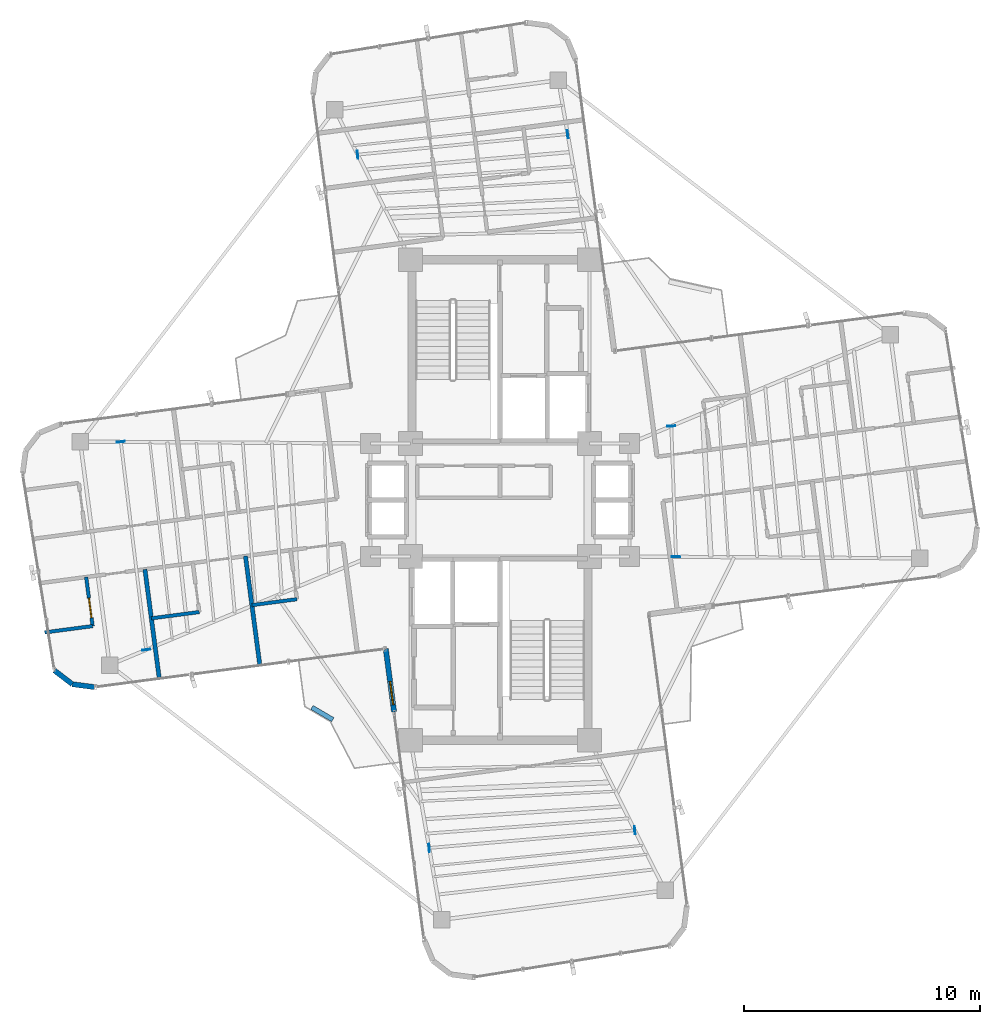
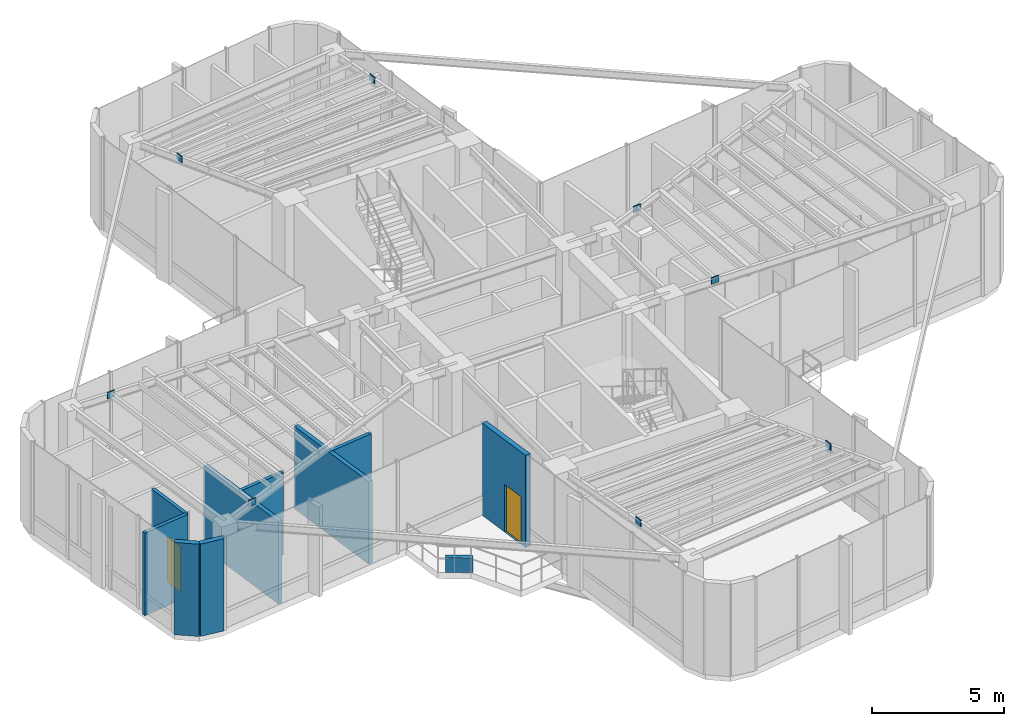
# One storey, part 15 of 20: 10 walls, 8 plates, 2 doors, 2 openings.
"""IFC4 building model written with IfcOpenShell, lengths in metres."""

from ifc_helpers import new_model, si_unit, direction, frame, frame_2d, origin, origin_2d, place, context, subcontext, project, spatial, rectangle, extrude, source, transform, mapped, material, layer, layer_set, type_object, element, fill, save


model = new_model("IFC4")

# Units and contexts
model_context = context("Model", 3, precision=1e-05, world=origin(), true_north=direction((0.0, 1.0)))
body_context = subcontext(model_context, "Body", "Model", "MODEL_VIEW")
ifc_project = project(units=[si_unit("LENGTHUNIT", "METRE"), si_unit("AREAUNIT", "SQUARE_METRE"), si_unit("VOLUMEUNIT", "CUBIC_METRE"), si_unit("PLANEANGLEUNIT", "RADIAN"), si_unit("MASSUNIT", "GRAM", prefix="KILO")], contexts=[model_context])

# Site, building, storey
site_placement = place(None, origin())
site = spatial("IfcSite", under=ifc_project, at=site_placement, CompositionType="ELEMENT")
building_placement = place(site_placement, origin())
building = spatial("IfcBuilding", under=site, at=building_placement, Name="Sahyath Konkavel Grand Hotel", CompositionType="ELEMENT")
storey_placement = place(building_placement, frame((0.0, 0.0, 229.949951171875)))
storey = spatial("IfcBuildingStorey", under=building, at=storey_placement, Name="L64", CompositionType="ELEMENT", Elevation=229.949951171875)

# Plates
ifc_material_1 = material(Name="Steel E450", Category="steel")
plate_type = type_object("IfcPlateType", Name="GUSSET-END-35", PredefinedType="USERDEFINED", material=ifc_material_1)
shared_shape_1 = source(origin(), body_context, "Body", "SweptSolid", [
    extrude(rectangle(XDim=0.0400390625, YDim=0.340087890625, at=origin_2d()), origin(), (0.0, 0.0, 1.0), 0.300048828125),
])
for number, where, z_axis, x_axis, name in (
    (1, (7.4716796875, -2.412353515625, 4.0), (0.0, 0.0, 1.0), (-0.035980921006, 0.999352477019, 0.0), "L64 Sub-Beam E-1 End Cap A"),
    (2, (7.27197265625, 3.136962890625, 4.0), (0.0, 0.0, 1.0), (-0.035980921006, 0.999352477019, 0.0), "L64 Sub-Beam E-1 End Cap B"),
    (3, (-16.09765625, 2.466796875, 4.0), (0.0, 0.0, 1.0), (0.120743257332, -0.992683769288, 0.0), "L64 Sub-Beam W-6 End Cap A"),
    (4, (-15.02392578125, -6.361328125, 4.0), (0.0, 0.0, 1.0), (0.120743257332, -0.992683769288, 0.0), "L64 Sub-Beam W-6 End Cap B"),
    (5, (2.87451171875, 15.535888671875, 4.0), (0.0, 0.0, 1.0), (-0.995232508046, -0.097530789641, 0.0), "L64 Sub-Beam N-5 End Cap A"),
    (6, (-6.04443359375, 14.662109375, 4.0), (0.0, 0.0, 1.0), (-0.995232508046, -0.097530789641, 0.0), "L64 Sub-Beam N-5 End Cap B"),
    (7, (-3.006591796875, -14.773681640625, 4.0), (0.0, 0.0, 1.0), (0.996339330537, 0.085486480953, 0.0), "L64 Sub-Beam S-4 End Cap A"),
    (8, (5.723876953125, -14.024658203125, 4.0), (0.0, 0.0, 1.0), (0.996339330537, 0.085486480953, 0.0), "L64 Sub-Beam S-4 End Cap B"),
):
    element("IfcPlate", number, at=place(storey_placement, frame(where, z_axis=z_axis, x_axis=x_axis)), inside=storey, type_object=plate_type, Name=name, ObjectType="GUSSET_PLATE", PredefinedType="USERDEFINED", context=body_context, shape_type="MappedRepresentation", body=[
        mapped(shared_shape_1, transform((0.0, 0.0, 0.0), scale=1.0)),
    ])

# Walls
ifc_material_2 = material(Name="Warm Buff Sandstone Insulated Concrete C40/50", Category="masonry")
ifc_layer_1 = layer(ifc_material_2, 0.219970703125)
ifc_layer_set_1 = layer_set([ifc_layer_1], Name="Warm Buff Sandstone Insulated Concrete C40/50")
wall_type_1 = type_object("IfcWallType", Name="WLL-BALC-THRESH", PredefinedType="STANDARD", material=ifc_layer_set_1)
wall_1_placement = place(storey_placement, frame((-18.916015625, -7.239013671875, 0.0), z_axis=(0.0, 0.0, 1.0), x_axis=(0.793249178392, -0.608897151398, 0.0)))
element("IfcWall", 9, at=wall_1_placement, inside=storey, type_object=wall_type_1, Name="L64 Rounded Corner Sandstone Pier 21", PredefinedType="STANDARD", context=body_context, shape_type="SweptSolid", body=[
    extrude(rectangle(XDim=0.95751953125, YDim=0.219970703125, at=frame_2d((0.478759765625, 0.0))), origin(), (0.0, 0.0, 1.0), 4.260009765625),
])
wall_2_placement = place(storey_placement, frame((-18.156494140625, -7.822021484375, 0.0), z_axis=(0.0, 0.0, 1.0), x_axis=(0.991449089759, -0.130494070426, 0.0)))
element("IfcWall", 10, at=wall_2_placement, inside=storey, type_object=wall_type_1, Name="L64 Rounded Corner Sandstone Pier 22", PredefinedType="STANDARD", context=body_context, shape_type="SweptSolid", body=[
    extrude(rectangle(XDim=0.9580078125, YDim=0.219970703125, at=frame_2d((0.47900390625, 0.0))), origin(), (0.0, 0.0, 1.0), 4.260009765625),
])

# Wall, opening, door
wall_3_placement = place(storey_placement, frame((-4.849609375, -6.320068359375, 0.0), z_axis=(0.0, 0.0, 1.0), x_axis=(0.130475563272, -0.991451525486, 0.0)))
wall_3 = element("IfcWall", 11, at=wall_3_placement, inside=storey, type_object=wall_type_1, Name="L64 Winter-Garden Threshold Wall 24", PredefinedType="STANDARD", context=body_context, shape_type="SweptSolid", body=[
    extrude(rectangle(XDim=2.7001953125, YDim=0.219970703125, at=frame_2d((1.35009765625, 0.0))), origin(), (0.0, 0.0, 1.0), 4.260009765625),
])
opening_1_placement = place(wall_3_placement, frame((1.39990234375, 0.0, 0.0)))
opening_1 = element("IfcOpeningElement", 12, at=opening_1_placement, cuts=wall_3, Name="Opening D-TR1", PredefinedType="OPENING", context=body_context, shape_type="SweptSolid", body=[
    extrude(rectangle(XDim=1.0, YDim=2.199951171875, at=frame_2d((0.5, 1.10009765625))), frame((0.0, 0.1201171875, 0.0), z_axis=(0.0, -1.0, 0.0), x_axis=(1.0, 0.0, 0.0)), (0.0, 0.0, 1.0), 0.239990234375),
])
ifc_material_3 = material(Name="Anodised Bronze Aluminium & Low-E Glazing", Category="aluminium")
door_type_1 = type_object("IfcDoorType", Name="DR-TERRACE-1000", OperationType="NOTDEFINED", PredefinedType="DOOR", material=ifc_material_3)
shared_shape_2 = source(origin(), body_context, "Body", "SweptSolid", [
    extrude(rectangle(XDim=1.0, YDim=0.050048828125, at=origin_2d()), origin(), (0.0, 0.0, 1.0), 2.199951171875),
])
door_1_placement = place(opening_1_placement, frame((0.5, 0.0, 0.0)))
door_1 = element("IfcDoor", 13, at=door_1_placement, inside=storey, type_object=door_type_1, Name="L64 Winter-Garden Terrace Door 24", OperationType="SINGLE_SWING_LEFT", OverallHeight=2.199951171875, OverallWidth=1.0, PredefinedType="DOOR", context=body_context, shape_type="MappedRepresentation", body=[
    mapped(shared_shape_2, transform((0.0, 0.0, 0.0), scale=1.0)),
])
fill(opening_1, door_1)

# Walls
ifc_material_4 = material(Name="Twin-Stud Acoustic Gypsum Plasterboard Partition")
ifc_layer_2 = layer(ifc_material_4, 0.179931640625)
ifc_layer_set_2 = layer_set([ifc_layer_2], Name="Twin-Stud Acoustic Gypsum Plasterboard Partition")
wall_type_2 = type_object("IfcWallType", Name="WLL-DEMISE-180", PredefinedType="PARTITIONING", material=ifc_layer_set_2)
wall_4_placement = place(storey_placement, frame((-10.806640625, -2.380859375, 0.0), z_axis=(0.0, 0.0, 1.0), x_axis=(0.130524030119, -0.991445146017, 0.0)))
element("IfcWall", 14, at=wall_4_placement, inside=storey, type_object=wall_type_2, Name="L64 Partition W-W1L-DEM", PredefinedType="PARTITIONING", context=body_context, shape_type="SweptSolid", body=[
    extrude(rectangle(XDim=4.633056640625, YDim=0.179931640625, at=frame_2d((2.31640625, 0.0))), origin(), (0.0, 0.0, 1.0), 3.81005859375),
])
wall_5_placement = place(storey_placement, frame((-15.07568359375, -2.943115234375, 0.0), z_axis=(0.0, 0.0, 1.0), x_axis=(0.1304790497, -0.991451066664, 0.0)))
element("IfcWall", 15, at=wall_5_placement, inside=storey, type_object=wall_type_2, Name="L64 Partition W-W2L-DEM", PredefinedType="PARTITIONING", context=body_context, shape_type="SweptSolid", body=[
    extrude(rectangle(XDim=4.6328125, YDim=0.179931640625, at=frame_2d((2.31640625, 0.0))), origin(), (0.0, 0.0, 1.0), 3.81005859375),
])
ifc_material_5 = material(Name="Fire-Rated Gypsum Plasterboard Partition")
ifc_layer_3 = layer(ifc_material_5, 0.14990234375)
ifc_layer_set_3 = layer_set([ifc_layer_3], Name="Fire-Rated Gypsum Plasterboard Partition")
wall_type_3 = type_object("IfcWallType", Name="WLL-PART-150", PredefinedType="PARTITIONING", material=ifc_layer_set_3)
wall_6_placement = place(storey_placement, frame((-8.6240234375, -4.211669921875, 0.0), z_axis=(0.0, 0.0, 1.0), x_axis=(-0.991449115066, -0.130493878153, 0.0)))
element("IfcWall", 16, at=wall_6_placement, inside=storey, type_object=wall_type_3, Name="L64 Partition W-W1L-BF", PredefinedType="PARTITIONING", context=body_context, shape_type="SweptSolid", body=[
    extrude(rectangle(XDim=1.925048828125, YDim=0.14990234375, at=frame_2d((0.96240234375, 0.0))), origin(), (0.0, 0.0, 1.0), 3.81005859375),
])
wall_7_placement = place(storey_placement, frame((-12.769287109375, -4.75732421875, 0.0), z_axis=(0.0, 0.0, 1.0), x_axis=(-0.991444969909, -0.13052536781, 0.0)))
element("IfcWall", 17, at=wall_7_placement, inside=storey, type_object=wall_type_3, Name="L64 Partition W-W2L-BF", PredefinedType="PARTITIONING", context=body_context, shape_type="SweptSolid", body=[
    extrude(rectangle(XDim=2.050048828125, YDim=0.14990234375, at=frame_2d((1.02490234375, 0.0))), origin(), (0.0, 0.0, 1.0), 3.81005859375),
])

# Wall, opening, door
wall_8_placement = place(storey_placement, frame((-17.5703125, -3.271484375, 0.0), z_axis=(0.0, 0.0, 1.0), x_axis=(0.130556761174, -0.991440836415, 0.0)))
wall_8 = element("IfcWall", 18, at=wall_8_placement, inside=storey, type_object=wall_type_3, Name="L64 Partition W-W3L-BS", PredefinedType="PARTITIONING", context=body_context, shape_type="SweptSolid", body=[
    extrude(rectangle(XDim=2.10009765625, YDim=0.14990234375, at=frame_2d((1.050048828125, 0.0))), origin(), (0.0, 0.0, 1.0), 3.81005859375),
])
opening_2_placement = place(wall_8_placement, frame((0.89990234375, 0.0, 0.0)))
opening_2 = element("IfcOpeningElement", 19, at=opening_2_placement, cuts=wall_8, Name="Opening D-BT85", PredefinedType="OPENING", context=body_context, shape_type="SweptSolid", body=[
    extrude(rectangle(XDim=0.85009765625, YDim=2.10009765625, at=frame_2d((0.425048828125, 1.050048828125))), frame((0.0, 0.0849609375, 0.0), z_axis=(0.0, -1.0, 0.0), x_axis=(1.0, 0.0, 0.0)), (0.0, 0.0, 1.0), 0.169921875),
])
ifc_material_6 = material(Name="Moisture-Resistant Teak Bathroom Door")
door_type_2 = type_object("IfcDoorType", Name="DR-BATH-850", OperationType="NOTDEFINED", PredefinedType="DOOR", material=ifc_material_6)
shared_shape_3 = source(origin(), body_context, "Body", "SweptSolid", [
    extrude(rectangle(XDim=0.85009765625, YDim=0.050048828125, at=origin_2d()), origin(), (0.0, 0.0, 1.0), 2.10009765625),
])
door_2_placement = place(opening_2_placement, frame((0.425048828125, 0.0, 0.0)))
door_2 = element("IfcDoor", 20, at=door_2_placement, inside=storey, type_object=door_type_2, Name="L64 Door W-W3L-BD", OperationType="SINGLE_SWING_LEFT", OverallHeight=2.10009765625, OverallWidth=0.85009765625, PredefinedType="DOOR", context=body_context, shape_type="MappedRepresentation", body=[
    mapped(shared_shape_3, transform((0.0, 0.0, 0.0), scale=1.0)),
])
fill(opening_2, door_2)

# Walls
wall_9_placement = place(storey_placement, frame((-17.296142578125, -5.353515625, 0.0), z_axis=(0.0, 0.0, 1.0), x_axis=(-0.991444969909, -0.13052536781, 0.0)))
element("IfcWall", 21, at=wall_9_placement, inside=storey, type_object=wall_type_3, Name="L64 Partition W-W3L-BF", PredefinedType="PARTITIONING", context=body_context, shape_type="SweptSolid", body=[
    extrude(rectangle(XDim=2.050048828125, YDim=0.14990234375, at=frame_2d((1.02490234375, 0.0))), origin(), (0.0, 0.0, 1.0), 3.81005859375),
])
ifc_material_7 = material(Name="Warm Buff Sandstone Planter Wall", Category="masonry")
ifc_layer_4 = layer(ifc_material_7, 0.199951171875)
ifc_layer_set_4 = layer_set([ifc_layer_4], Name="Warm Buff Sandstone Planter Wall")
wall_type_4 = type_object("IfcWallType", Name="WLL-PLANTER-200", PredefinedType="PARAPET", material=ifc_layer_set_4)
wall_10_placement = place(storey_placement, frame((-7.98486328125, -8.8076171875, 0.0), z_axis=(0.0, 0.0, 1.0), x_axis=(0.862787227529, -0.505567206227, 0.0)))
element("IfcWall", 22, at=wall_10_placement, inside=storey, type_object=wall_type_4, Name="L64 Sky-Garden Stone Planter PLANTER SW", PredefinedType="PARAPET", context=body_context, shape_type="SweptSolid", body=[
    extrude(rectangle(XDim=1.028564453125, YDim=0.199951171875, at=frame_2d((0.51416015625, 0.0))), origin(), (0.0, 0.0, 1.0), 0.650146484375),
])

save(model, "model.ifc")
